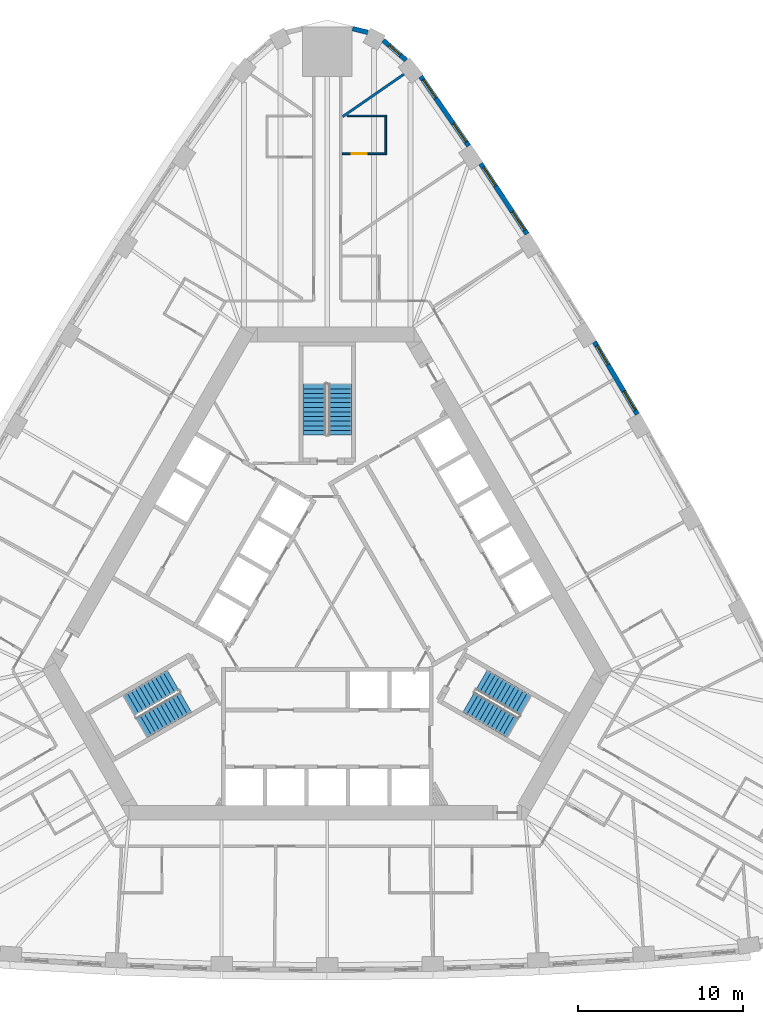
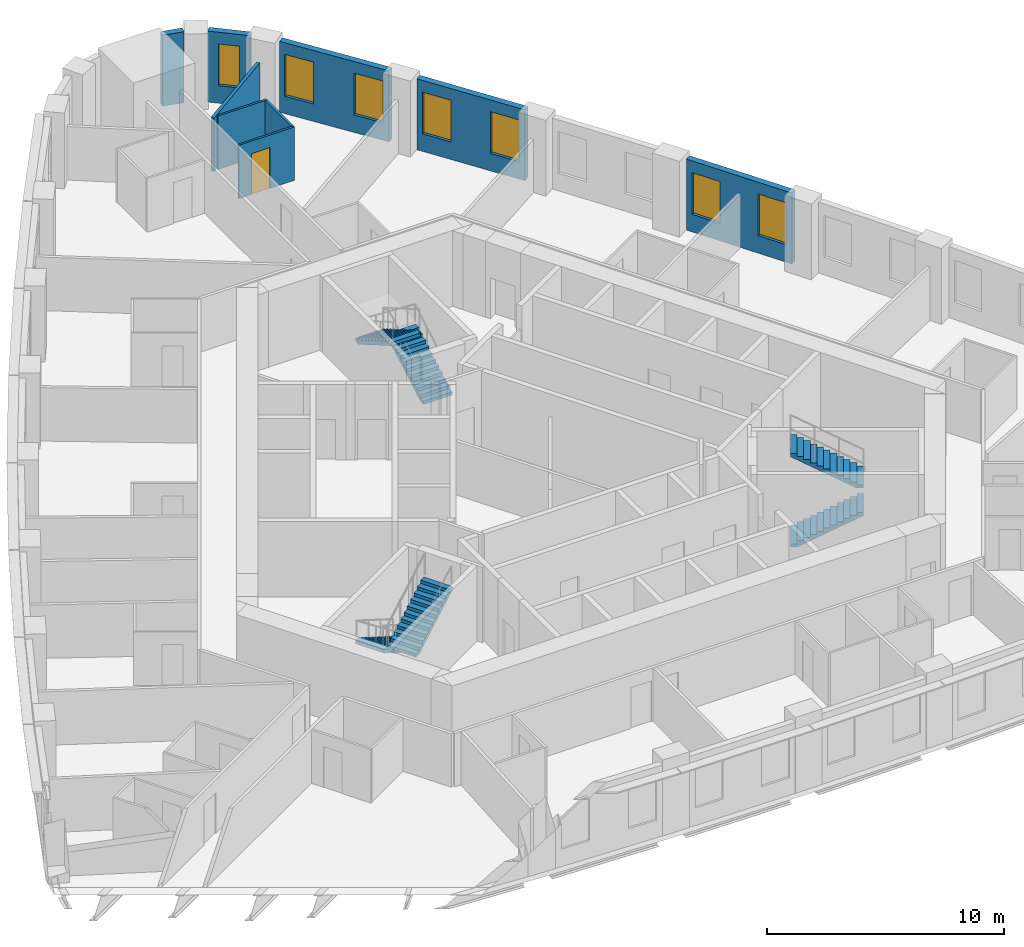
# One storey, part 11 of 12: 9 walls, 7 windows, 6 stair flights, 1 door, 8 openings, 3 elements without a shape of their own.
"""IFC4 building model written with IfcOpenShell, lengths in metres."""

from ifc_helpers import new_model, si_unit, direction, frame, frame_2d, origin, place, context, subcontext, project, spatial, polyline, rectangle, outline, extrude, material, layer, layer_set, type_object, element, fill, aggregate, save


model = new_model("IFC4")

# Units and contexts
model_context = context("Model", 3, precision=1e-05, world=origin(), true_north=direction((0.0, 1.0)))
body_context = subcontext(model_context, "Body", "Model", "MODEL_VIEW")
ifc_project = project(units=[si_unit("LENGTHUNIT", "METRE"), si_unit("AREAUNIT", "SQUARE_METRE"), si_unit("VOLUMEUNIT", "CUBIC_METRE"), si_unit("PLANEANGLEUNIT", "RADIAN"), si_unit("MASSUNIT", "GRAM", prefix="KILO")], contexts=[model_context])

# Site, building, storey
site_placement = place(None, origin())
site = spatial("IfcSite", under=ifc_project, at=site_placement, CompositionType="ELEMENT")
building_placement = place(site_placement, origin())
building = spatial("IfcBuilding", under=site, at=building_placement, Name="Mestral Congress Tower", CompositionType="ELEMENT")
storey_placement = place(building_placement, frame((0.0, 0.0, 118.800048828125)))
storey = spatial("IfcBuildingStorey", under=building, at=storey_placement, Name="L28", CompositionType="ELEMENT", Elevation=118.800048828125)

# Wall, openings, windows
ifc_material_1 = material(Name="Precast concrete C40/50 with limestone facing", Category="masonry")
ifc_layer_1 = layer(ifc_material_1, 0.2900390625)
ifc_layer_set_1 = layer_set([ifc_layer_1], Name="Precast concrete C40/50 with limestone facing")
wall_type_1 = type_object("IfcWallType", Name="Facade stone wall 290", PredefinedType="SOLIDWALL", material=ifc_layer_set_1)
wall_1_placement = place(storey_placement, frame((18.8046875, 11.611083984375, 0.0), z_axis=(0.0, 0.0, 1.0), x_axis=(-0.510054281659, 0.860142214847, 0.0)))
wall_1 = element("IfcWall", 1, at=wall_1_placement, inside=storey, type_object=wall_type_1, Name="Facade wall F1-04", PredefinedType="SOLIDWALL", context=body_context, shape_type="SweptSolid", body=[
    extrude(rectangle(XDim=5.1005859375, YDim=0.2900390625, at=frame_2d((2.55029296875, 0.0))), origin(), (0.0, 0.0, 1.0), 3.64990234375),
])
opening_1_placement = place(wall_1_placement, frame((0.272705078125, 0.0, 0.89990234375)))
opening_1 = element("IfcOpeningElement", 2, at=opening_1_placement, cuts=wall_1, Name="Opening W2", PredefinedType="OPENING", context=body_context, shape_type="SweptSolid", body=[
    extrude(rectangle(XDim=1.35009765625, YDim=2.14990234375, at=frame_2d((0.675048828125, 1.074951171875))), frame((0.0, 0.155029296875, 0.0), z_axis=(0.0, -1.0, 0.0), x_axis=(1.0, 0.0, 0.0)), (0.0, 0.0, 1.0), 0.31005859375),
])
opening_2_placement = place(wall_1_placement, frame((3.477783203125, 0.0, 0.89990234375)))
opening_2 = element("IfcOpeningElement", 3, at=opening_2_placement, cuts=wall_1, Name="Opening W2", PredefinedType="OPENING", context=body_context, shape_type="SweptSolid", body=[
    extrude(rectangle(XDim=1.35009765625, YDim=2.14990234375, at=frame_2d((0.675048828125, 1.074951171875))), frame((0.0, 0.155029296875, 0.0), z_axis=(0.0, -1.0, 0.0), x_axis=(1.0, 0.0, 0.0)), (0.0, 0.0, 1.0), 0.31005859375),
])
ifc_material_2 = material(Name="Clear low-emissivity double glazing", Category="glass")
window_type_1 = type_object("IfcWindowType", Name="Facade punched window 1350 x 2150 sill 900", PartitioningType="DOUBLE_PANEL_VERTICAL", PredefinedType="WINDOW", material=ifc_material_2)
window_1_placement = place(opening_1_placement, origin())
window_1 = element("IfcWindow", 4, at=window_1_placement, inside=storey, type_object=window_type_1, Name="Window F1-04a", OverallHeight=2.14990234375, OverallWidth=1.35009765625, PartitioningType="DOUBLE_PANEL_VERTICAL", PredefinedType="WINDOW", context=body_context, shape_type="SweptSolid", body=[
    extrude(rectangle(XDim=1.35009765625, YDim=2.14990234375, at=frame_2d((0.675048828125, 1.074951171875))), frame((0.0, 0.01513671875, 0.0), z_axis=(0.0, -1.0, 0.0), x_axis=(1.0, 0.0, 0.0)), (0.0, 0.0, 1.0), 0.06005859375),
])
fill(opening_1, window_1)
window_2_placement = place(opening_2_placement, origin())
window_2 = element("IfcWindow", 5, at=window_2_placement, inside=storey, type_object=window_type_1, Name="Window F1-04b", OverallHeight=2.14990234375, OverallWidth=1.35009765625, PartitioningType="DOUBLE_PANEL_VERTICAL", PredefinedType="WINDOW", context=body_context, shape_type="SweptSolid", body=[
    extrude(rectangle(XDim=1.35009765625, YDim=2.14990234375, at=frame_2d((0.675048828125, 1.074951171875))), frame((0.0, 0.01513671875, 0.0), z_axis=(0.0, -1.0, 0.0), x_axis=(1.0, 0.0, 0.0)), (0.0, 0.0, 1.0), 0.06005859375),
])
fill(opening_2, window_2)

wall_2_placement = place(storey_placement, frame((12.114501953125, 22.538818359375, 0.0), z_axis=(0.0, 0.0, 1.0), x_axis=(-0.549741341923, 0.835334937005, 0.0)))
wall_2 = element("IfcWall", 6, at=wall_2_placement, inside=storey, type_object=wall_type_1, Name="Facade wall F1-06", PredefinedType="SOLIDWALL", context=body_context, shape_type="SweptSolid", body=[
    extrude(rectangle(XDim=5.10009765625, YDim=0.2900390625, at=frame_2d((2.550048828125, 0.0))), origin(), (0.0, 0.0, 1.0), 3.64990234375),
])
opening_3_placement = place(wall_2_placement, frame((0.272705078125, 0.0, 0.89990234375)))
opening_3 = element("IfcOpeningElement", 7, at=opening_3_placement, cuts=wall_2, Name="Opening W2", PredefinedType="OPENING", context=body_context, shape_type="SweptSolid", body=[
    extrude(rectangle(XDim=1.35009765625, YDim=2.14990234375, at=frame_2d((0.675048828125, 1.074951171875))), frame((0.0, 0.155029296875, 0.0), z_axis=(0.0, -1.0, 0.0), x_axis=(1.0, 0.0, 0.0)), (0.0, 0.0, 1.0), 0.31005859375),
])
opening_4_placement = place(wall_2_placement, frame((3.477783203125, 0.0, 0.89990234375)))
opening_4 = element("IfcOpeningElement", 8, at=opening_4_placement, cuts=wall_2, Name="Opening W2", PredefinedType="OPENING", context=body_context, shape_type="SweptSolid", body=[
    extrude(rectangle(XDim=1.35009765625, YDim=2.14990234375, at=frame_2d((0.675048828125, 1.074951171875))), frame((0.0, 0.155029296875, 0.0), z_axis=(0.0, -1.0, 0.0), x_axis=(1.0, 0.0, 0.0)), (0.0, 0.0, 1.0), 0.31005859375),
])
window_3_placement = place(opening_3_placement, origin())
window_3 = element("IfcWindow", 9, at=window_3_placement, inside=storey, type_object=window_type_1, Name="Window F1-06a", OverallHeight=2.14990234375, OverallWidth=1.35009765625, PartitioningType="DOUBLE_PANEL_VERTICAL", PredefinedType="WINDOW", context=body_context, shape_type="SweptSolid", body=[
    extrude(rectangle(XDim=1.35009765625, YDim=2.14990234375, at=frame_2d((0.675048828125, 1.074951171875))), frame((0.0, 0.01513671875, 0.0), z_axis=(0.0, -1.0, 0.0), x_axis=(1.0, 0.0, 0.0)), (0.0, 0.0, 1.0), 0.06005859375),
])
fill(opening_3, window_3)
window_4_placement = place(opening_4_placement, origin())
window_4 = element("IfcWindow", 10, at=window_4_placement, inside=storey, type_object=window_type_1, Name="Window F1-06b", OverallHeight=2.14990234375, OverallWidth=1.35009765625, PartitioningType="DOUBLE_PANEL_VERTICAL", PredefinedType="WINDOW", context=body_context, shape_type="SweptSolid", body=[
    extrude(rectangle(XDim=1.35009765625, YDim=2.14990234375, at=frame_2d((0.675048828125, 1.074951171875))), frame((0.0, 0.01513671875, 0.0), z_axis=(0.0, -1.0, 0.0), x_axis=(1.0, 0.0, 0.0)), (0.0, 0.0, 1.0), 0.06005859375),
])
fill(opening_4, window_4)

wall_3_placement = place(storey_placement, frame((8.57958984375, 27.882080078125, 0.0), z_axis=(0.0, 0.0, 1.0), x_axis=(-0.569113019126, 0.822259309136, 0.0)))
wall_3 = element("IfcWall", 11, at=wall_3_placement, inside=storey, type_object=wall_type_1, Name="Facade wall F1-07", PredefinedType="SOLIDWALL", context=body_context, shape_type="SweptSolid", body=[
    extrude(rectangle(XDim=5.106689453125, YDim=0.2900390625, at=frame_2d((2.55322265625, 0.0))), origin(), (0.0, 0.0, 1.0), 3.64990234375),
])
opening_5_placement = place(wall_3_placement, frame((0.285400390625, 0.0, 0.89990234375)))
opening_5 = element("IfcOpeningElement", 12, at=opening_5_placement, cuts=wall_3, Name="Opening W2", PredefinedType="OPENING", context=body_context, shape_type="SweptSolid", body=[
    extrude(rectangle(XDim=1.35009765625, YDim=2.14990234375, at=frame_2d((0.675048828125, 1.074951171875))), frame((0.0, 0.155029296875, 0.0), z_axis=(0.0, -1.0, 0.0), x_axis=(1.0, 0.0, 0.0)), (0.0, 0.0, 1.0), 0.31005859375),
])
opening_6_placement = place(wall_3_placement, frame((3.516357421875, 0.0, 0.89990234375)))
opening_6 = element("IfcOpeningElement", 13, at=opening_6_placement, cuts=wall_3, Name="Opening W2", PredefinedType="OPENING", context=body_context, shape_type="SweptSolid", body=[
    extrude(rectangle(XDim=1.35009765625, YDim=2.14990234375, at=frame_2d((0.675048828125, 1.074951171875))), frame((0.0, 0.155029296875, 0.0), z_axis=(0.0, -1.0, 0.0), x_axis=(1.0, 0.0, 0.0)), (0.0, 0.0, 1.0), 0.31005859375),
])
window_5_placement = place(opening_5_placement, origin())
window_5 = element("IfcWindow", 14, at=window_5_placement, inside=storey, type_object=window_type_1, Name="Window F1-07a", OverallHeight=2.14990234375, OverallWidth=1.35009765625, PartitioningType="DOUBLE_PANEL_VERTICAL", PredefinedType="WINDOW", context=body_context, shape_type="SweptSolid", body=[
    extrude(rectangle(XDim=1.35009765625, YDim=2.14990234375, at=frame_2d((0.675048828125, 1.074951171875))), frame((0.0, 0.01513671875, 0.0), z_axis=(0.0, -1.0, 0.0), x_axis=(1.0, 0.0, 0.0)), (0.0, 0.0, 1.0), 0.06005859375),
])
fill(opening_5, window_5)
window_6_placement = place(opening_6_placement, origin())
window_6 = element("IfcWindow", 15, at=window_6_placement, inside=storey, type_object=window_type_1, Name="Window F1-07b", OverallHeight=2.14990234375, OverallWidth=1.35009765625, PartitioningType="DOUBLE_PANEL_VERTICAL", PredefinedType="WINDOW", context=body_context, shape_type="SweptSolid", body=[
    extrude(rectangle(XDim=1.35009765625, YDim=2.14990234375, at=frame_2d((0.675048828125, 1.074951171875))), frame((0.0, 0.01513671875, 0.0), z_axis=(0.0, -1.0, 0.0), x_axis=(1.0, 0.0, 0.0)), (0.0, 0.0, 1.0), 0.06005859375),
])
fill(opening_6, window_6)

# Wall, opening, window
wall_4_placement = place(storey_placement, frame((4.778076171875, 33.08203125, 0.0), z_axis=(0.0, 0.0, 1.0), x_axis=(-0.754882764627, 0.655859749999, 0.0)))
wall_4 = element("IfcWall", 16, at=wall_4_placement, inside=storey, type_object=wall_type_1, Name="Facade wall K1-0", PredefinedType="SOLIDWALL", context=body_context, shape_type="SweptSolid", body=[
    extrude(rectangle(XDim=1.819580078125, YDim=0.2900390625, at=frame_2d((0.90966796875, 0.0))), origin(), (0.0, 0.0, 1.0), 3.64990234375),
])
opening_7_placement = place(wall_4_placement, frame((0.459716796875, 0.0, 0.89990234375)))
opening_7 = element("IfcOpeningElement", 17, at=opening_7_placement, cuts=wall_4, Name="Opening W3", PredefinedType="OPENING", context=body_context, shape_type="SweptSolid", body=[
    extrude(rectangle(XDim=0.89990234375, YDim=2.14990234375, at=frame_2d((0.449951171875, 1.074951171875))), frame((0.0, 0.155029296875, 0.0), z_axis=(0.0, -1.0, 0.0), x_axis=(1.0, 0.0, 0.0)), (0.0, 0.0, 1.0), 0.31005859375),
])
window_type_2 = type_object("IfcWindowType", Name="Facade punched window 900 x 2150 sill 900", PartitioningType="SINGLE_PANEL", PredefinedType="WINDOW", material=ifc_material_2)
window_7_placement = place(opening_7_placement, origin())
window_7 = element("IfcWindow", 18, at=window_7_placement, inside=storey, type_object=window_type_2, Name="Window K1-0", OverallHeight=2.14990234375, OverallWidth=0.89990234375, PartitioningType="SINGLE_PANEL", PredefinedType="WINDOW", context=body_context, shape_type="SweptSolid", body=[
    extrude(rectangle(XDim=0.89990234375, YDim=2.14990234375, at=frame_2d((0.449951171875, 1.074951171875))), frame((0.0, 0.01513671875, 0.0), z_axis=(0.0, -1.0, 0.0), x_axis=(1.0, 0.0, 0.0)), (0.0, 0.0, 1.0), 0.06005859375),
])
fill(opening_7, window_7)

# Wall
wall_5_placement = place(storey_placement, frame((2.455322265625, 34.765625, 0.0), z_axis=(0.0, 0.0, 1.0), x_axis=(-0.971713991574, 0.236160789674, 0.0)))
element("IfcWall", 19, at=wall_5_placement, inside=storey, type_object=wall_type_1, Name="Facade wall K1-1", PredefinedType="SOLIDWALL", context=body_context, shape_type="SweptSolid", body=[
    extrude(rectangle(XDim=0.947021484375, YDim=0.2900390625, at=frame_2d((0.4736328125, 0.0))), origin(), (0.0, 0.0, 1.0), 3.64990234375),
])

# Wall, opening, door
ifc_material_3 = material(Name="Gypsum board partition on metal studs with mineral wool", Category="composite")
ifc_layer_2 = layer(ifc_material_3, 0.10009765625)
ifc_layer_set_2 = layer_set([ifc_layer_2], Name="Gypsum board partition on metal studs with mineral wool")
wall_type_2 = type_object("IfcWallType", Name="Hotel partition wall 100", PredefinedType="PARTITIONING", material=ifc_layer_set_2)
wall_6_placement = place(storey_placement, frame((0.89990234375, 27.39794921875, 0.0), z_axis=(0.0, 0.0, 1.0), x_axis=(1.0, 0.0, 0.0)))
wall_6 = element("IfcWall", 20, at=wall_6_placement, inside=storey, type_object=wall_type_2, Name="L28-h-pod12a", PredefinedType="PARTITIONING", context=body_context, shape_type="SweptSolid", body=[
    extrude(rectangle(XDim=2.7001953125, YDim=0.10009765625, at=frame_2d((1.35009765625, 0.0))), origin(), (0.0, 0.0, 1.0), 2.75),
])
opening_8_placement = place(wall_6_placement, frame((0.60009765625, 0.0, 0.0)))
opening_8 = element("IfcOpeningElement", 21, at=opening_8_placement, cuts=wall_6, Name="Opening H09-024", PredefinedType="OPENING", context=body_context, shape_type="SweptSolid", body=[
    extrude(rectangle(XDim=0.89990234375, YDim=2.10009765625, at=frame_2d((0.449951171875, 1.050048828125))), frame((0.0, 0.06005859375, 0.0), z_axis=(0.0, -1.0, 0.0), x_axis=(1.0, 0.0, 0.0)), (0.0, 0.0, 1.0), 0.1201171875),
])
ifc_material_4 = material(Name="Timber veneer door leaf in timber frame", Category="wood")
door_type = type_object("IfcDoorType", Name="Bathroom door 900", OperationType="SINGLE_SWING_LEFT", PredefinedType="DOOR", material=ifc_material_4)
door_placement = place(opening_8_placement, origin())
door = element("IfcDoor", 22, at=door_placement, inside=storey, type_object=door_type, Name="L28-h-d024", OperationType="SINGLE_SWING_RIGHT", OverallHeight=2.10009765625, OverallWidth=0.89990234375, PredefinedType="DOOR", context=body_context, shape_type="SweptSolid", body=[
    extrude(rectangle(XDim=0.89990234375, YDim=2.10009765625, at=frame_2d((0.449951171875, 1.050048828125))), frame((0.0, 0.02490234375, 0.0), z_axis=(0.0, -1.0, 0.0), x_axis=(1.0, 0.0, 0.0)), (0.0, 0.0, 1.0), 0.050048828125),
])
fill(opening_8, door)

# Walls
wall_7_placement = place(storey_placement, frame((3.550048828125, 27.447998046875, 0.0), z_axis=(0.0, 0.0, 1.0), x_axis=(0.0, 1.0, 0.0)))
element("IfcWall", 23, at=wall_7_placement, inside=storey, type_object=wall_type_2, Name="L28-h-pod12b", PredefinedType="PARTITIONING", context=body_context, shape_type="SweptSolid", body=[
    extrude(rectangle(XDim=2.199951171875, YDim=0.10009765625, at=frame_2d((1.10009765625, 0.0))), origin(), (0.0, 0.0, 1.0), 2.75),
])
wall_8_placement = place(storey_placement, frame((1.199951171875, 29.697998046875, 0.0), z_axis=(0.0, 0.0, 1.0), x_axis=(1.0, 0.0, 0.0)))
element("IfcWall", 24, at=wall_8_placement, inside=storey, type_object=wall_type_2, Name="L28-h-pod12c", PredefinedType="PARTITIONING", context=body_context, shape_type="SweptSolid", body=[
    extrude(rectangle(XDim=2.400146484375, YDim=0.10009765625, at=frame_2d((1.2001953125, 0.0))), origin(), (0.0, 0.0, 1.0), 2.75),
])
ifc_layer_3 = layer(ifc_material_3, 0.14990234375)
ifc_layer_set_3 = layer_set([ifc_layer_3], Name="Gypsum board partition on metal studs with mineral wool")
wall_type_3 = type_object("IfcWallType", Name="Hotel partition wall 150", PredefinedType="PARTITIONING", material=ifc_layer_set_3)
wall_9_placement = place(storey_placement, frame((4.649169921875, 32.223388671875, 0.0), z_axis=(0.0, 0.0, 1.0), x_axis=(-0.822262349475, -0.569108626394, 0.0)))
element("IfcWall", 25, at=wall_9_placement, inside=storey, type_object=wall_type_3, Name="L28-h-pw13", PredefinedType="PARTITIONING", context=body_context, shape_type="SweptSolid", body=[
    extrude(rectangle(XDim=4.509521484375, YDim=0.14990234375, at=frame_2d((2.2548828125, 0.0))), origin(), (0.0, 0.0, 1.0), 2.75),
])

# Stair, stair flights
ifc_material_5 = material(Name="Concrete C60/75", Category="concrete")
stair_type = type_object("IfcStairType", Name="Exit stair 1400", PredefinedType="HALF_TURN_STAIR", material=ifc_material_5)
placement = place(storey_placement, origin())
stair_1 = element("IfcStair", 26, at=placement, inside=storey, type_object=stair_type, Name="L28 ST1", PredefinedType="HALF_TURN_STAIR")
stair_flight_type = type_object("IfcStairFlightType", Name="Exit stair flight 1400", PredefinedType="STRAIGHT", material=ifc_material_5)
stair_flight_1_placement = place(storey_placement, frame((8.575927734375, -5.84619140625, 0.0), z_axis=(0.0, 0.0, 1.0), x_axis=(0.866025403784, -0.5, 0.0)))
stair_flight_1 = element("IfcStairFlight", 27, at=stair_flight_1_placement, type_object=stair_flight_type, Name="ST1 flight 1", NumberOfRisers=12, NumberOfTreads=11, PredefinedType="STRAIGHT", RiserHeight=0.1625, TreadLength=0.28, context=body_context, shape_type="SweptSolid", body=[
    extrude(outline(polyline([(0.0, 0.0), (0.0, 0.16259765625), (0.280029296875, 0.16259765625), (0.280029296875, 0.324951171875), (0.56005859375, 0.324951171875), (0.56005859375, 0.487548828125), (0.840087890625, 0.487548828125), (0.840087890625, 0.64990234375), (1.1201171875, 0.64990234375), (1.1201171875, 0.8125), (1.39990234375, 0.8125), (1.39990234375, 0.97509765625), (1.679931640625, 0.97509765625), (1.679931640625, 1.137451171875), (1.9599609375, 1.137451171875), (1.9599609375, 1.300048828125), (2.239990234375, 1.300048828125), (2.239990234375, 1.46240234375), (2.52001953125, 1.46240234375), (2.52001953125, 1.625), (2.800048828125, 1.625), (2.800048828125, 1.78759765625), (3.080078125, 1.78759765625), (3.080078125, 1.949951171875), (3.080078125, 1.6142578125), (0.298583984375, 0.0), (0.0, 0.0)])), frame((0.0, 0.699951171875, 0.0), z_axis=(0.0, -1.0, 0.0), x_axis=(1.0, 0.0, 0.0)), (0.0, 0.0, 1.0), 1.39990234375),
])
stair_flight_2_placement = place(storey_placement, frame((12.018310546875, -6.0439453125, 1.949951171875), z_axis=(0.0, 0.0, 1.0), x_axis=(-0.866025403784, 0.5, 0.0)))
stair_flight_2 = element("IfcStairFlight", 28, at=stair_flight_2_placement, type_object=stair_flight_type, Name="ST1 flight 2", NumberOfRisers=12, NumberOfTreads=11, PredefinedType="STRAIGHT", RiserHeight=0.1625, TreadLength=0.28, context=body_context, shape_type="SweptSolid", body=[
    extrude(outline(polyline([(0.0, 0.0), (0.0, 0.16259765625), (0.280029296875, 0.16259765625), (0.280029296875, 0.324951171875), (0.56005859375, 0.324951171875), (0.56005859375, 0.487548828125), (0.840087890625, 0.487548828125), (0.840087890625, 0.64990234375), (1.1201171875, 0.64990234375), (1.1201171875, 0.8125), (1.39990234375, 0.8125), (1.39990234375, 0.97509765625), (1.679931640625, 0.97509765625), (1.679931640625, 1.137451171875), (1.9599609375, 1.137451171875), (1.9599609375, 1.300048828125), (2.239990234375, 1.300048828125), (2.239990234375, 1.46240234375), (2.52001953125, 1.46240234375), (2.52001953125, 1.625), (2.800048828125, 1.625), (2.800048828125, 1.78759765625), (3.080078125, 1.78759765625), (3.080078125, 1.949951171875), (3.080078125, 1.6142578125), (0.298583984375, 0.0), (0.0, 0.0)])), frame((0.0, 0.699951171875, 0.0), z_axis=(0.0, -1.0, 0.0), x_axis=(1.0, 0.0, 0.0)), (0.0, 0.0, 1.0), 1.39990234375),
])
aggregate(stair_1, [stair_flight_1, stair_flight_2])

stair_2 = element("IfcStair", 29, at=placement, inside=storey, type_object=stair_type, Name="L28 ST2", PredefinedType="HALF_TURN_STAIR")
stair_flight_3_placement = place(storey_placement, frame((0.77490234375, 10.35009765625, 0.0), z_axis=(0.0, 0.0, 1.0), x_axis=(0.0, 1.0, 0.0)))
stair_flight_3 = element("IfcStairFlight", 30, at=stair_flight_3_placement, type_object=stair_flight_type, Name="ST2 flight 1", NumberOfRisers=12, NumberOfTreads=11, PredefinedType="STRAIGHT", RiserHeight=0.1625, TreadLength=0.28, context=body_context, shape_type="SweptSolid", body=[
    extrude(outline(polyline([(0.0, 0.0), (0.0, 0.16259765625), (0.280029296875, 0.16259765625), (0.280029296875, 0.324951171875), (0.56005859375, 0.324951171875), (0.56005859375, 0.487548828125), (0.840087890625, 0.487548828125), (0.840087890625, 0.64990234375), (1.1201171875, 0.64990234375), (1.1201171875, 0.8125), (1.39990234375, 0.8125), (1.39990234375, 0.97509765625), (1.679931640625, 0.97509765625), (1.679931640625, 1.137451171875), (1.9599609375, 1.137451171875), (1.9599609375, 1.300048828125), (2.239990234375, 1.300048828125), (2.239990234375, 1.46240234375), (2.52001953125, 1.46240234375), (2.52001953125, 1.625), (2.800048828125, 1.625), (2.800048828125, 1.78759765625), (3.080078125, 1.78759765625), (3.080078125, 1.949951171875), (3.080078125, 1.6142578125), (0.298583984375, 0.0), (0.0, 0.0)])), frame((0.0, 0.699951171875, 0.0), z_axis=(0.0, -1.0, 0.0), x_axis=(1.0, 0.0, 0.0)), (0.0, 0.0, 1.0), 1.39990234375),
])
stair_flight_4_placement = place(storey_placement, frame((-0.77490234375, 13.429931640625, 1.949951171875), z_axis=(0.0, 0.0, 1.0), x_axis=(0.0, -1.0, 0.0)))
stair_flight_4 = element("IfcStairFlight", 31, at=stair_flight_4_placement, type_object=stair_flight_type, Name="ST2 flight 2", NumberOfRisers=12, NumberOfTreads=11, PredefinedType="STRAIGHT", RiserHeight=0.1625, TreadLength=0.28, context=body_context, shape_type="SweptSolid", body=[
    extrude(outline(polyline([(0.0, 0.0), (0.0, 0.16259765625), (0.280029296875, 0.16259765625), (0.280029296875, 0.324951171875), (0.56005859375, 0.324951171875), (0.56005859375, 0.487548828125), (0.840087890625, 0.487548828125), (0.840087890625, 0.64990234375), (1.1201171875, 0.64990234375), (1.1201171875, 0.8125), (1.39990234375, 0.8125), (1.39990234375, 0.97509765625), (1.679931640625, 0.97509765625), (1.679931640625, 1.137451171875), (1.9599609375, 1.137451171875), (1.9599609375, 1.300048828125), (2.239990234375, 1.300048828125), (2.239990234375, 1.46240234375), (2.52001953125, 1.46240234375), (2.52001953125, 1.625), (2.800048828125, 1.625), (2.800048828125, 1.78759765625), (3.080078125, 1.78759765625), (3.080078125, 1.949951171875), (3.080078125, 1.6142578125), (0.298583984375, 0.0), (0.0, 0.0)])), frame((0.0, 0.699951171875, 0.0), z_axis=(0.0, -1.0, 0.0), x_axis=(1.0, 0.0, 0.0)), (0.0, 0.0, 1.0), 1.39990234375),
])
aggregate(stair_2, [stair_flight_3, stair_flight_4])

stair_3 = element("IfcStair", 32, at=placement, inside=storey, type_object=stair_type, Name="L28 ST3", PredefinedType="HALF_TURN_STAIR")
stair_flight_5_placement = place(storey_placement, frame((-9.350830078125, -4.50390625, 0.0), z_axis=(0.0, 0.0, 1.0), x_axis=(-0.866025403784, -0.5, 0.0)))
stair_flight_5 = element("IfcStairFlight", 33, at=stair_flight_5_placement, type_object=stair_flight_type, Name="ST3 flight 1", NumberOfRisers=12, NumberOfTreads=11, PredefinedType="STRAIGHT", RiserHeight=0.1625, TreadLength=0.28, context=body_context, shape_type="SweptSolid", body=[
    extrude(outline(polyline([(0.0, 0.0), (0.0, 0.16259765625), (0.280029296875, 0.16259765625), (0.280029296875, 0.324951171875), (0.56005859375, 0.324951171875), (0.56005859375, 0.487548828125), (0.840087890625, 0.487548828125), (0.840087890625, 0.64990234375), (1.1201171875, 0.64990234375), (1.1201171875, 0.8125), (1.39990234375, 0.8125), (1.39990234375, 0.97509765625), (1.679931640625, 0.97509765625), (1.679931640625, 1.137451171875), (1.9599609375, 1.137451171875), (1.9599609375, 1.300048828125), (2.239990234375, 1.300048828125), (2.239990234375, 1.46240234375), (2.52001953125, 1.46240234375), (2.52001953125, 1.625), (2.800048828125, 1.625), (2.800048828125, 1.78759765625), (3.080078125, 1.78759765625), (3.080078125, 1.949951171875), (3.080078125, 1.6142578125), (0.298583984375, 0.0), (0.0, 0.0)])), frame((0.0, 0.699951171875, 0.0), z_axis=(0.0, -1.0, 0.0), x_axis=(1.0, 0.0, 0.0)), (0.0, 0.0, 1.0), 1.39990234375),
])
stair_flight_6_placement = place(storey_placement, frame((-11.2431640625, -7.38623046875, 1.949951171875), z_axis=(0.0, 0.0, 1.0), x_axis=(0.866025403784, 0.5, 0.0)))
stair_flight_6 = element("IfcStairFlight", 34, at=stair_flight_6_placement, type_object=stair_flight_type, Name="ST3 flight 2", NumberOfRisers=12, NumberOfTreads=11, PredefinedType="STRAIGHT", RiserHeight=0.1625, TreadLength=0.28, context=body_context, shape_type="SweptSolid", body=[
    extrude(outline(polyline([(0.0, 0.0), (0.0, 0.16259765625), (0.280029296875, 0.16259765625), (0.280029296875, 0.324951171875), (0.56005859375, 0.324951171875), (0.56005859375, 0.487548828125), (0.840087890625, 0.487548828125), (0.840087890625, 0.64990234375), (1.1201171875, 0.64990234375), (1.1201171875, 0.8125), (1.39990234375, 0.8125), (1.39990234375, 0.97509765625), (1.679931640625, 0.97509765625), (1.679931640625, 1.137451171875), (1.9599609375, 1.137451171875), (1.9599609375, 1.300048828125), (2.239990234375, 1.300048828125), (2.239990234375, 1.46240234375), (2.52001953125, 1.46240234375), (2.52001953125, 1.625), (2.800048828125, 1.625), (2.800048828125, 1.78759765625), (3.080078125, 1.78759765625), (3.080078125, 1.949951171875), (3.080078125, 1.6142578125), (0.298583984375, 0.0), (0.0, 0.0)])), frame((0.0, 0.699951171875, 0.0), z_axis=(0.0, -1.0, 0.0), x_axis=(1.0, 0.0, 0.0)), (0.0, 0.0, 1.0), 1.39990234375),
])
aggregate(stair_3, [stair_flight_5, stair_flight_6])

save(model, "model.ifc")
